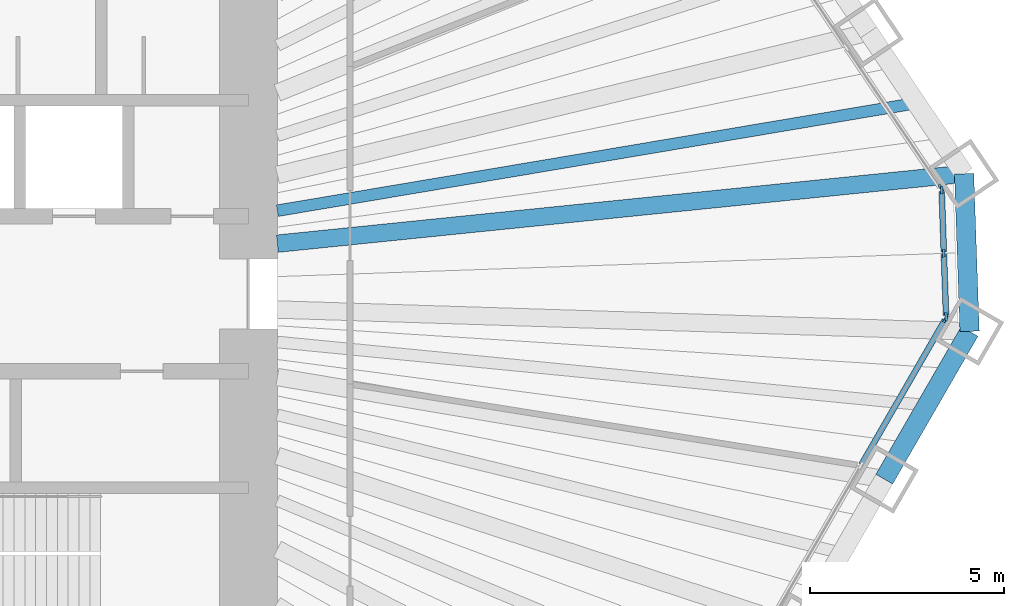
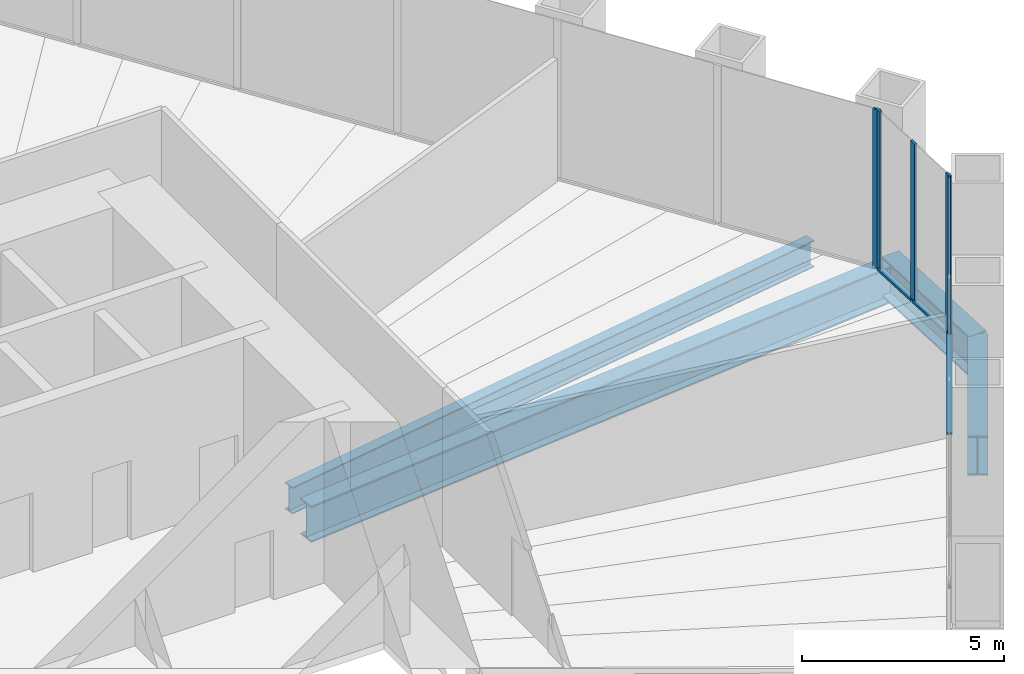
# One storey, part 5 of 13: 8 members, 4 beams, 3 elements without a shape of their own.
"""IFC4 building model written with IfcOpenShell, lengths in metres."""

from ifc_helpers import new_model, si_unit, direction, frame, origin, origin_2d, place, context, subcontext, project, spatial, rectangle, i_section, extrude, material, material_profile, profile_set, type_object, element, aggregate, save


model = new_model("IFC4")

# Units and contexts
model_context = context("Model", 3, precision=1e-05, world=origin(), true_north=direction((0.0, 1.0)))
body_context = subcontext(model_context, "Body", "Model", "MODEL_VIEW")
ifc_project = project(units=[si_unit("LENGTHUNIT", "METRE"), si_unit("AREAUNIT", "SQUARE_METRE"), si_unit("VOLUMEUNIT", "CUBIC_METRE"), si_unit("PLANEANGLEUNIT", "RADIAN"), si_unit("MASSUNIT", "GRAM", prefix="KILO")], contexts=[model_context])

# Site, building, storey
site_placement = place(None, origin())
site = spatial("IfcSite", under=ifc_project, at=site_placement, CompositionType="ELEMENT")
building_placement = place(site_placement, origin())
building = spatial("IfcBuilding", under=site, at=building_placement, Name="Qingtian Harvest Tower", CompositionType="ELEMENT")
storey_placement = place(building_placement, frame((0.0, 0.0, 42.0)))
storey = spatial("IfcBuildingStorey", under=building, at=storey_placement, Name="L08", CompositionType="ELEMENT", Elevation=42.0)

# Beams
ifc_material_1 = material(Name="Steel SM570MC", Category="steel")
ifc_material_profile_1 = material_profile(ifc_material_1, i_section(OverallWidth=0.449951171875, OverallDepth=1.10009765625, WebThickness=0.02197265625, FlangeThickness=0.044921875, at=origin_2d()), Name="H1100x450x22x45")
ifc_profile_set_1 = profile_set([ifc_material_profile_1], Name="Steel SM570MC")
beam_type_1 = type_object("IfcBeamType", Name="Corner floor beam FB8 H1100x450x22x45", PredefinedType="BEAM", material=ifc_profile_set_1)
beam_1_placement = place(storey_placement, frame((30.476318359375, 3.100830078125, -0.75), z_axis=(-0.994864371567, -0.101217005423, 0.0), x_axis=(0.101217005423, -0.994864371567, 0.0)))
element("IfcBeam", 1, at=beam_1_placement, inside=storey, type_object=beam_type_1, Name="Floor beam FB8 NE6", PredefinedType="BEAM", context=body_context, shape_type="SweptSolid", body=[
    extrude(i_section(OverallWidth=0.449951171875, OverallDepth=1.10009765625, WebThickness=0.02197265625, FlangeThickness=0.044921875, at=origin_2d()), origin(), (0.0, 0.0, 1.0), 17.81787109375),
])
ifc_material_2 = material(Name="Steel SN490B", Category="steel")
ifc_material_profile_2 = material_profile(ifc_material_2, i_section(OverallWidth=0.300048828125, OverallDepth=0.800048828125, WebThickness=0.013916015625, FlangeThickness=0.02587890625, at=origin_2d()), Name="H800x300x14x26")
ifc_profile_set_2 = profile_set([ifc_material_profile_2], Name="Steel SN490B")
beam_type_2 = type_object("IfcBeamType", Name="Floor joist J1 H800x300x14x26", PredefinedType="JOIST", material=ifc_profile_set_2)
beam_2_placement = place(storey_placement, frame((29.244873046875, 4.926513671875, -0.60009765625), z_axis=(-0.986107238024, -0.166109948877, 0.0), x_axis=(0.166109948877, -0.986107238024, 0.0)))
element("IfcBeam", 2, at=beam_2_placement, inside=storey, type_object=beam_type_2, Name="Floor joist J1 NE5", PredefinedType="JOIST", context=body_context, shape_type="SweptSolid", body=[
    extrude(i_section(OverallWidth=0.300048828125, OverallDepth=0.800048828125, WebThickness=0.013916015625, FlangeThickness=0.02587890625, at=origin_2d()), origin(), (0.0, 0.0, 1.0), 16.727294921875),
])

# Curtain wall, member
ifc_material_3 = material(Name="Bronze-anodised aluminium curtain wall", Category="aluminium")
curtain_wall_type = type_object("IfcCurtainWallType", Name="Curtain wall CW2 farm reception", PredefinedType="USERDEFINED", material=ifc_material_3)
curtain_wall_1_placement = place(storey_placement, origin())
curtain_wall_1 = element("IfcCurtainWall", 3, at=curtain_wall_1_placement, inside=storey, type_object=curtain_wall_type, Name="Curtain wall CW2 L08 NE0-5", ObjectType="RECESSED CURTAIN WALL", PredefinedType="USERDEFINED")
ifc_material_4 = material(Name="Bronze-anodised aluminium mullion", Category="aluminium")
ifc_material_profile_3 = material_profile(ifc_material_4, rectangle(XDim=0.06494140625, YDim=0.199951171875, at=origin_2d()), Name="AL 65x200")
ifc_profile_set_3 = profile_set([ifc_material_profile_3], Name="Bronze-anodised aluminium mullion")
member_type_1 = type_object("IfcMemberType", Name="Mullion CWM 65x200", PredefinedType="MULLION", material=ifc_profile_set_3)
member_1_placement = place(storey_placement, frame((29.8779296875, 2.736328125, 0.0), z_axis=(0.0, 0.0, 1.0), x_axis=(0.829037572555, 0.559192903471, 0.0)))
member_1 = element("IfcMember", 4, at=member_1_placement, type_object=member_type_1, Name="CW2 mullion 7", PredefinedType="MULLION", context=body_context, shape_type="SweptSolid", body=[
    extrude(rectangle(XDim=0.06494140625, YDim=0.199951171875, at=origin_2d()), origin(), (0.0, 0.0, 1.0), 4.800048828125),
])
aggregate(curtain_wall_1, [member_1])

# Curtain wall, members
curtain_wall_2_placement = place(storey_placement, origin())
curtain_wall_2 = element("IfcCurtainWall", 5, at=curtain_wall_2_placement, inside=storey, type_object=curtain_wall_type, Name="Curtain wall CW2 L08 NEC", ObjectType="RECESSED CURTAIN WALL", PredefinedType="USERDEFINED")
member_2_placement = place(storey_placement, frame((29.897216796875, 2.677001953125, 0.0), z_axis=(0.0, 0.0, 1.0), x_axis=(0.999390827019, 0.034899496703, 0.0)))
member_2 = element("IfcMember", 6, at=member_2_placement, type_object=member_type_1, Name="CW2 mullion 1", PredefinedType="MULLION", context=body_context, shape_type="SweptSolid", body=[
    extrude(rectangle(XDim=0.06494140625, YDim=0.199951171875, at=origin_2d()), origin(), (0.0, 0.0, 1.0), 4.800048828125),
])
member_3_placement = place(storey_placement, frame((29.9541015625, 1.046142578125, 0.0), z_axis=(0.0, 0.0, 1.0), x_axis=(0.999390827019, 0.034899496703, 0.0)))
member_3 = element("IfcMember", 7, at=member_3_placement, type_object=member_type_1, Name="CW2 mullion 2", PredefinedType="MULLION", context=body_context, shape_type="SweptSolid", body=[
    extrude(rectangle(XDim=0.06494140625, YDim=0.199951171875, at=origin_2d()), origin(), (0.0, 0.0, 1.0), 4.800048828125),
])
member_4_placement = place(storey_placement, frame((30.010986328125, -0.5849609375, 0.0), z_axis=(0.0, 0.0, 1.0), x_axis=(0.999390827019, 0.034899496703, 0.0)))
member_4 = element("IfcMember", 8, at=member_4_placement, type_object=member_type_1, Name="CW2 mullion 3", PredefinedType="MULLION", context=body_context, shape_type="SweptSolid", body=[
    extrude(rectangle(XDim=0.06494140625, YDim=0.199951171875, at=origin_2d()), origin(), (0.0, 0.0, 1.0), 4.800048828125),
])

# Curtain wall, member
curtain_wall_3_placement = place(storey_placement, origin())
curtain_wall_3 = element("IfcCurtainWall", 9, at=curtain_wall_3_placement, inside=storey, type_object=curtain_wall_type, Name="Curtain wall CW2 L08 SE0-5", ObjectType="RECESSED CURTAIN WALL", PredefinedType="USERDEFINED")
member_5_placement = place(storey_placement, frame((29.995849609375, -0.6455078125, 0.0), z_axis=(0.0, 0.0, 1.0), x_axis=(0.866025403784, -0.5, 0.0)))
member_5 = element("IfcMember", 10, at=member_5_placement, type_object=member_type_1, Name="CW2 mullion 1", PredefinedType="MULLION", context=body_context, shape_type="SweptSolid", body=[
    extrude(rectangle(XDim=0.06494140625, YDim=0.199951171875, at=origin_2d()), origin(), (0.0, 0.0, 1.0), 4.800048828125),
])

# Beams
ifc_material_5 = material(Name="Steel SM570MC", Category="steel")
ifc_material_profile_4 = material_profile(ifc_material_5, i_section(OverallWidth=0.5, OverallDepth=1.199951171875, WebThickness=0.02490234375, FlangeThickness=0.050048828125, at=origin_2d()), Name="H1200x500x25x50")
ifc_profile_set_4 = profile_set([ifc_material_profile_4], Name="Steel SM570MC")
beam_type_3 = type_object("IfcBeamType", Name="Spandrel beam SB1 H1200x500x25x50", PredefinedType="SPANDREL", material=ifc_profile_set_4)
beam_3_placement = place(storey_placement, frame((30.476318359375, 3.100830078125, -0.60009765625), z_axis=(0.03490639867, -0.999390585973, 0.0), x_axis=(0.999390585973, 0.03490639867, 0.0)))
element("IfcBeam", 11, at=beam_3_placement, inside=storey, type_object=beam_type_3, Name="Spandrel SB1 NEC", PredefinedType="SPANDREL", context=body_context, shape_type="SweptSolid", body=[
    extrude(i_section(OverallWidth=0.5, OverallDepth=1.199951171875, WebThickness=0.02490234375, FlangeThickness=0.050048828125, at=origin_2d()), origin(), (0.0, 0.0, 1.0), 4.070556640625),
])
beam_4_placement = place(storey_placement, frame((30.618408203125, -0.96728515625, -0.60009765625), z_axis=(-0.50001992892, -0.866013897511, 0.0), x_axis=(0.866013897511, -0.50001992892, 0.0)))
element("IfcBeam", 12, at=beam_4_placement, inside=storey, type_object=beam_type_3, Name="Spandrel SB1 SE0", PredefinedType="SPANDREL", context=body_context, shape_type="SweptSolid", body=[
    extrude(i_section(OverallWidth=0.5, OverallDepth=1.199951171875, WebThickness=0.02490234375, FlangeThickness=0.050048828125, at=origin_2d()), origin(), (0.0, 0.0, 1.0), 4.404541015625),
])

# Member
ifc_material_6 = material(Name="Bronze-anodised aluminium transom", Category="aluminium")
ifc_material_profile_5 = material_profile(ifc_material_6, rectangle(XDim=0.14990234375, YDim=0.06494140625, at=origin_2d()), Name="AL 65x150")
ifc_profile_set_5 = profile_set([ifc_material_profile_5], Name="Bronze-anodised aluminium transom")
member_type_2 = type_object("IfcMemberType", Name="Transom CWT 65x150", PredefinedType="USERDEFINED", material=ifc_profile_set_5)
member_6_placement = place(storey_placement, frame((29.898193359375, 2.64453125, 0.032470703125), z_axis=(0.034902326647, -0.999390728191, 0.0), x_axis=(0.999390728191, 0.034902326647, 0.0)))
member_6 = element("IfcMember", 13, at=member_6_placement, type_object=member_type_2, Name="CW2 transom 1.1", ObjectType="TRANSOM", PredefinedType="USERDEFINED", context=body_context, shape_type="SweptSolid", body=[
    extrude(rectangle(XDim=0.14990234375, YDim=0.06494140625, at=origin_2d()), origin(), (0.0, 0.0, 1.0), 1.56689453125),
])

member_7_placement = place(storey_placement, frame((29.955322265625, 1.013427734375, 0.032470703125), z_axis=(0.034902326647, -0.999390728191, 0.0), x_axis=(0.999390728191, 0.034902326647, 0.0)))
member_7 = element("IfcMember", 14, at=member_7_placement, type_object=member_type_2, Name="CW2 transom 2.1", ObjectType="TRANSOM", PredefinedType="USERDEFINED", context=body_context, shape_type="SweptSolid", body=[
    extrude(rectangle(XDim=0.14990234375, YDim=0.06494140625, at=origin_2d()), origin(), (0.0, 0.0, 1.0), 1.56689453125),
])

aggregate(curtain_wall_2, [member_2, member_3, member_4, member_6, member_7])

member_8_placement = place(storey_placement, frame((29.979736328125, -0.673583984375, 0.032470703125), z_axis=(-0.499985768833, -0.866033619997, 0.0), x_axis=(0.866033619997, -0.499985768833, 0.0)))
member_8 = element("IfcMember", 15, at=member_8_placement, type_object=member_type_2, Name="CW2 transom 1.1", ObjectType="TRANSOM", PredefinedType="USERDEFINED", context=body_context, shape_type="SweptSolid", body=[
    extrude(rectangle(XDim=0.14990234375, YDim=0.06494140625, at=origin_2d()), origin(), (0.0, 0.0, 1.0), 4.307373046875),
])

aggregate(curtain_wall_3, [member_5, member_8])

save(model, "model.ifc")
